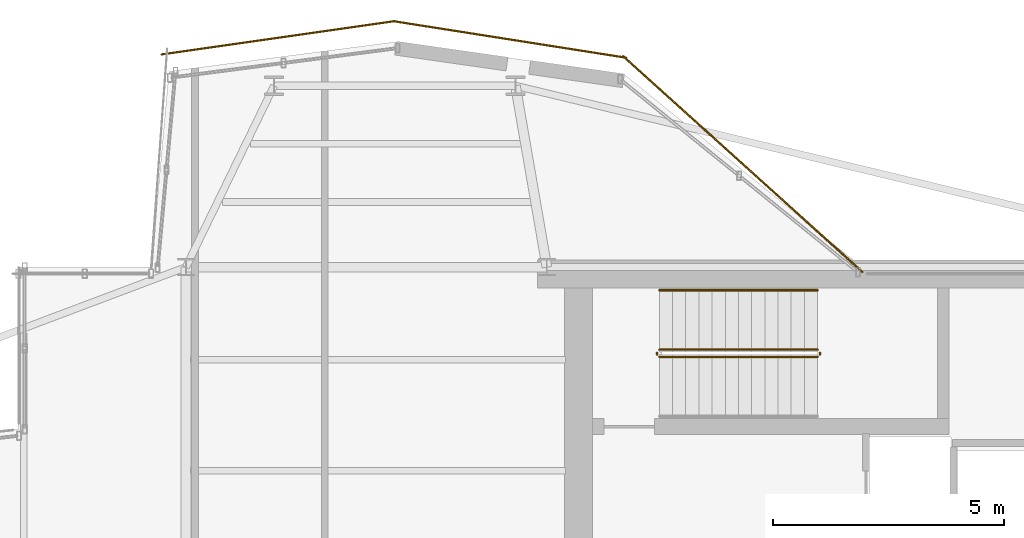
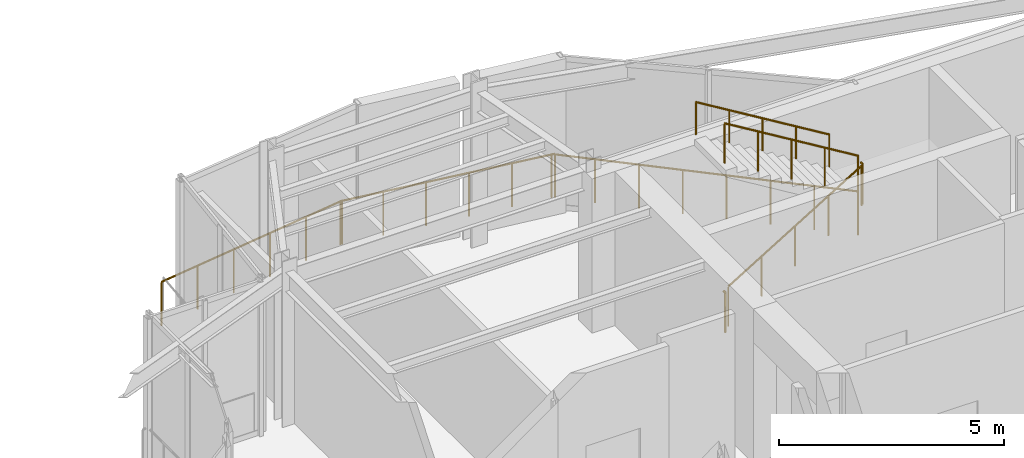
# One storey, part 13 of 14: 8 railings.
"""IFC4 building model written with IfcOpenShell, lengths in metres."""

import ifcopenshell
import ifcopenshell.guid

model = None  # the IFC model being written
_history = None  # IfcOwnerHistory: only IFC2X3 demands one
_inside = {}  # id of a spatial element -> (the spatial element, [elements in it])
_under = {}  # id of a project, library or spatial element -> (it, [spatial elements below it])
_declared = {}  # id of a project -> (the project, [libraries it declares])
_typed = {}  # id of a type object -> (the type object, [elements of that type])
_made_of = {}  # id of a material, layer set ... -> (it, [elements and type objects made of it])


def new_model(schema):
    """Start an empty IFC model of exactly this schema.

    Asked for "IFC4X3", IfcOpenShell would pick the latest addendum, in which some entities
    have other attributes; the version numbers below select the first issue.
    IFC2X3 requires an IfcOwnerHistory on every rooted entity: one is made here for all.
    """
    global model, _history
    if schema == "IFC4X3":
        model = ifcopenshell.file(schema_version=(4, 3, 0, 0))
    else:
        model = ifcopenshell.file(schema=schema)
    _inside.clear()
    _under.clear()
    _declared.clear()
    _typed.clear()
    _made_of.clear()
    _history = None
    if model.schema == "IFC2X3":
        org = make("IfcOrganization", Name="unknown")
        user = make(
            "IfcPersonAndOrganization",
            ThePerson=make("IfcPerson", FamilyName="unknown"),
            TheOrganization=org,
        )
        app = make(
            "IfcApplication",
            ApplicationDeveloper=org,
            Version="unknown",
            ApplicationFullName="unknown",
            ApplicationIdentifier="unknown",
        )
        _history = make(
            "IfcOwnerHistory",
            OwningUser=user,
            OwningApplication=app,
            ChangeAction="ADDED",
            CreationDate=0,
        )
    return model


def make(cls, **values):
    """One entity of the class cls with the attributes given. An attribute that is None is left unset."""
    return model.create_entity(
        cls, **{name: value for name, value in values.items() if value is not None}
    )


def rooted(cls, **values):
    """An entity with a GlobalId (a new one), such as an element, a storey or a relation."""
    return make(cls, GlobalId=ifcopenshell.guid.new(), OwnerHistory=_history, **values)


def si_unit(unit_type, name, prefix=None):
    """IfcSIUnit, for example si_unit("LENGTHUNIT", "METRE", prefix="MILLI")."""
    return make("IfcSIUnit", UnitType=unit_type, Prefix=prefix, Name=name)


def assignment(units):
    """IfcUnitAssignment: the units of a project."""
    return None if units is None else make("IfcUnitAssignment", Units=units)


def point(xyz):
    """IfcCartesianPoint."""
    return None if xyz is None else make("IfcCartesianPoint", Coordinates=xyz)


def direction(xyz):
    """IfcDirection."""
    return None if xyz is None else make("IfcDirection", DirectionRatios=xyz)


def frame(location, z_axis=None, x_axis=None):
    """IfcAxis2Placement3D, a coordinate frame: its origin and axes. An axis left out is left unset."""
    return make(
        "IfcAxis2Placement3D",
        Location=point(location),
        Axis=direction(z_axis),
        RefDirection=direction(x_axis),
    )


def frame_2d(location, x_axis=None):
    """IfcAxis2Placement2D, a coordinate frame in the plane: its origin and x axis."""
    return make(
        "IfcAxis2Placement2D", Location=point(location), RefDirection=direction(x_axis)
    )


def origin():
    """The frame at (0, 0, 0) with its axes left unset."""
    return frame((0.0, 0.0, 0.0))


def origin_2d():
    """The frame at (0, 0) in the plane with its x axis left unset."""
    return frame_2d((0.0, 0.0))


def place(relative_to, where):
    """IfcLocalPlacement: puts the frame where relative to a parent placement (None: the world)."""
    return make(
        "IfcLocalPlacement", PlacementRelTo=relative_to, RelativePlacement=where
    )


def context(
    kind, dimensions, precision=None, world=None, true_north=None, identifier=None
):
    """IfcGeometricRepresentationContext, for example the 3D "Model" context."""
    return make(
        "IfcGeometricRepresentationContext",
        ContextIdentifier=identifier,
        ContextType=kind,
        CoordinateSpaceDimension=dimensions,
        Precision=precision,
        WorldCoordinateSystem=world,
        TrueNorth=true_north,
    )


def subcontext(parent, identifier, kind, view, scale=None):
    """IfcGeometricRepresentationSubContext, for example "Body" below "Model"."""
    return make(
        "IfcGeometricRepresentationSubContext",
        ContextIdentifier=identifier,
        ContextType=kind,
        ParentContext=parent,
        TargetScale=scale,
        TargetView=view,
    )


def project(units=None, contexts=None):
    """IfcProject with its units and contexts."""
    return rooted(
        "IfcProject",
        Name="project",
        RepresentationContexts=contexts,
        UnitsInContext=assignment(units),
    )


def spatial(cls, under=None, at=None, **own):
    """A site, building, storey or space (cls), placed at a placement, below another one or the project."""
    s = rooted(cls, ObjectPlacement=at, **own)
    if under is not None:
        _under.setdefault(under.id(), (under, []))[1].append(s)
    return s


def profile(cls, at=None, kind="AREA", **sizes):
    """A parametric profile (cls). Its sizes go by their IFC names, for example OverallWidth=200.0."""
    return make(cls, ProfileType=kind, Position=at, **sizes)


def circle(**sizes):
    """IfcCircleProfileDef."""
    return profile("IfcCircleProfileDef", **sizes)


def extrude(swept, where, along, depth):
    """IfcExtrudedAreaSolid: the profile swept, set in the frame where, extruded along a direction by depth."""
    return make(
        "IfcExtrudedAreaSolid",
        SweptArea=swept,
        Position=where,
        ExtrudedDirection=direction(along),
        Depth=depth,
    )


def shape(context_of_items, identifier, shape_type, items):
    """IfcShapeRepresentation: the items that make up one representation, for example the "Body"."""
    return make(
        "IfcShapeRepresentation",
        ContextOfItems=context_of_items,
        RepresentationIdentifier=identifier,
        RepresentationType=shape_type,
        Items=items,
    )


def material(Name=None, Category=None):
    """IfcMaterial."""
    return make("IfcMaterial", Name=Name, Category=Category)


def made_of(thing, what):
    """Note that an element or type object is made of a material, layer set ...; save() writes the relation."""
    if what is not None:
        _made_of.setdefault(what.id(), (what, []))[1].append(thing)
    return thing


def type_object(cls, material=None, **own):
    """A type object (cls), such as IfcWallType, which elements share."""
    return made_of(rooted(cls, **own), material)


def element(
    cls,
    number,
    at=None,
    inside=None,
    cuts=None,
    type_object=None,
    material=None,
    context=None,
    identifier="Body",
    shape_type=None,
    held_by="IfcProductDefinitionShape",
    body=None,
    shapes=None,
    **own,
):
    """One element of the class cls, such as IfcWall. Its Tag is "e" and its number.

    at: its placement. inside: the storey or other place that contains it. cuts: it is an
    opening in that element (IfcRelVoidsElement). A single representation is given by context,
    identifier, shape_type and body (its items); several are given by shapes. held_by: the class
    of the entity that holds the representations. save() writes the other relations.
    """
    e = rooted(cls, Tag="e%d" % number, ObjectPlacement=at, **own)
    if body is not None:
        shapes = [shape(context, identifier, shape_type, body)]
    if shapes is not None:
        e.Representation = make(held_by, Representations=shapes)
    if inside is not None:
        _inside.setdefault(inside.id(), (inside, []))[1].append(e)
    if cuts is not None:
        rooted(
            "IfcRelVoidsElement", RelatingBuildingElement=cuts, RelatedOpeningElement=e
        )
    if type_object is not None:
        _typed.setdefault(type_object.id(), (type_object, []))[1].append(e)
    return made_of(e, material)


def aggregate(whole, parts):
    """IfcRelAggregates: a whole, such as a stair, and the parts it consists of."""
    return rooted("IfcRelAggregates", RelatingObject=whole, RelatedObjects=parts)


def save(model, path):
    """Write the relations noted so far, then the file.

    IfcRelAggregates (storeys below a building ...), IfcRelContainedInSpatialStructure (elements
    in a storey), IfcRelDefinesByType, IfcRelAssociatesMaterial and IfcRelDeclares: one each for
    every whole, place, type object, material and project.
    """
    for whole, parts in _under.values():
        aggregate(whole, parts)
    for where, things in _inside.values():
        rooted(
            "IfcRelContainedInSpatialStructure",
            RelatedElements=things,
            RelatingStructure=where,
        )
    for kind, things in _typed.values():
        rooted("IfcRelDefinesByType", RelatedObjects=things, RelatingType=kind)
    for what, things in _made_of.values():
        rooted("IfcRelAssociatesMaterial", RelatedObjects=things, RelatingMaterial=what)
    for by, libraries in _declared.values():
        rooted("IfcRelDeclares", RelatingContext=by, RelatedDefinitions=libraries)
    model.write(path)


model = new_model("IFC4")

# Units and contexts
model_context = context("Model", 3, precision=1e-05, world=origin(), true_north=direction((0.0, 1.0)))
body_context = subcontext(model_context, "Body", "Model", "MODEL_VIEW")
ifc_project = project(units=[si_unit("LENGTHUNIT", "METRE"), si_unit("AREAUNIT", "SQUARE_METRE"), si_unit("VOLUMEUNIT", "CUBIC_METRE"), si_unit("PLANEANGLEUNIT", "RADIAN"), si_unit("MASSUNIT", "GRAM", prefix="KILO")], contexts=[model_context])

# Site, building, storey
site_placement = place(None, origin())
site = spatial("IfcSite", under=ifc_project, at=site_placement, CompositionType="ELEMENT")
building_placement = place(site_placement, origin())
building = spatial("IfcBuilding", under=site, at=building_placement, Name="Veymaron Broadcast Tower", CompositionType="ELEMENT")
storey_placement = place(building_placement, frame((0.0, 0.0, 332.39990234375)))
storey = spatial("IfcBuildingStorey", under=building, at=storey_placement, Name="L78", CompositionType="ELEMENT", Elevation=332.39990234375)

# Railings
ifc_material_1 = material(Name="Brushed stainless steel AISI 304", Category="steel")
railing_type_1 = type_object("IfcRailingType", Name="RAIL-STAIR-HR", PredefinedType="HANDRAIL", material=ifc_material_1)
railing_1_placement = place(storey_placement, frame((44.85009765625, 31.5, 2.423095703125)))
element("IfcRailing", 1, at=railing_1_placement, inside=storey, type_object=railing_type_1, Name="L78 ST1 stair handrail 2", PredefinedType="HANDRAIL", context=body_context, shape_type="SweptSolid", body=[
    extrude(circle(Radius=0.02392578125, at=origin_2d()), frame((0.0, 0.0, 0.8759765625), z_axis=(-0.854745945586, 0.0, 0.519046595696), x_axis=(0.0, -1.0, 0.0)), (0.0, 0.0, 1.0), 4.00146484375),
    extrude(circle(Radius=0.02099609375, at=origin_2d()), origin(), (0.0, 0.0, 1.0), 0.851806640625),
    extrude(circle(Radius=0.02099609375, at=origin_2d()), frame((-0.85498046875, 0.0, 0.519287109375)), (0.0, 0.0, 1.0), 0.851806640625),
    extrude(circle(Radius=0.02099609375, at=origin_2d()), frame((-1.7099609375, 0.0, 1.03857421875)), (0.0, 0.0, 1.0), 0.851806640625),
    extrude(circle(Radius=0.02099609375, at=origin_2d()), frame((-2.565185546875, 0.0, 1.5576171875)), (0.0, 0.0, 1.0), 0.851806640625),
    extrude(circle(Radius=0.02099609375, at=origin_2d()), frame((-3.420166015625, 0.0, 2.076904296875)), (0.0, 0.0, 1.0), 0.851806640625),
])
ifc_material_2 = material(Name="Laminated structural sentry-glass and stainless steel AISI 316L", Category="steel")
railing_type_2 = type_object("IfcRailingType", Name="RAIL-TERR-1200", PredefinedType="GUARDRAIL", material=ifc_material_2)
railing_2_placement = place(storey_placement, frame((45.81884765625, 31.89599609375, 0.0)))
element("IfcRailing", 2, at=railing_2_placement, inside=storey, type_object=railing_type_2, Name="L78 crown perimeter guardrail 5", PredefinedType="GUARDRAIL", context=body_context, shape_type="SweptSolid", body=[
    extrude(circle(Radius=0.02392578125, at=origin_2d()), frame((0.0, 0.0, 1.17578125), z_axis=(-0.742718734557, 0.669603525482, 0.0), x_axis=(-0.669603525482, -0.742718734557, 0.0)), (0.0, 0.0, 1.0), 6.96533203125),
    extrude(circle(Radius=0.02099609375, at=origin_2d()), origin(), (0.0, 0.0, 1.0), 1.15185546875),
    extrude(circle(Radius=0.02099609375, at=origin_2d()), frame((-0.739013671875, 0.666259765625, 0.0)), (0.0, 0.0, 1.0), 1.15185546875),
    extrude(circle(Radius=0.02099609375, at=origin_2d()), frame((-1.47802734375, 1.33251953125, 0.0)), (0.0, 0.0, 1.0), 1.15185546875),
    extrude(circle(Radius=0.02099609375, at=origin_2d()), frame((-2.217041015625, 1.998779296875, 0.0)), (0.0, 0.0, 1.0), 1.15185546875),
    extrude(circle(Radius=0.02099609375, at=origin_2d()), frame((-2.956298828125, 2.665283203125, 0.0)), (0.0, 0.0, 1.0), 1.15185546875),
    extrude(circle(Radius=0.02099609375, at=origin_2d()), frame((-3.6953125, 3.33154296875, 0.0)), (0.0, 0.0, 1.0), 1.15185546875),
    extrude(circle(Radius=0.02099609375, at=origin_2d()), frame((-4.434326171875, 3.997802734375, 0.0)), (0.0, 0.0, 1.0), 1.15185546875),
    extrude(circle(Radius=0.02099609375, at=origin_2d()), frame((-5.17333984375, 4.6640625, 0.0)), (0.0, 0.0, 1.0), 1.15185546875),
])
railing_3_placement = place(storey_placement, frame((40.717529296875, 36.525634765625, 0.0)))
element("IfcRailing", 3, at=railing_3_placement, inside=storey, type_object=railing_type_2, Name="L78 crown perimeter guardrail 6", PredefinedType="GUARDRAIL", context=body_context, shape_type="SweptSolid", body=[
    extrude(circle(Radius=0.02392578125, at=origin_2d()), frame((0.0, 0.0, 1.17578125), z_axis=(-0.987892522015, 0.155139823857, 0.0), x_axis=(-0.155139823857, -0.987892522015, 0.0)), (0.0, 0.0, 1.0), 5.10498046875),
    extrude(circle(Radius=0.02099609375, at=origin_2d()), origin(), (0.0, 0.0, 1.0), 1.15185546875),
    extrude(circle(Radius=0.02099609375, at=origin_2d()), frame((-1.008544921875, 0.158447265625, 0.0)), (0.0, 0.0, 1.0), 1.15185546875),
    extrude(circle(Radius=0.02099609375, at=origin_2d()), frame((-2.017333984375, 0.31689453125, 0.0)), (0.0, 0.0, 1.0), 1.15185546875),
    extrude(circle(Radius=0.02099609375, at=origin_2d()), frame((-3.02587890625, 0.47509765625, 0.0)), (0.0, 0.0, 1.0), 1.15185546875),
    extrude(circle(Radius=0.02099609375, at=origin_2d()), frame((-4.03466796875, 0.633544921875, 0.0)), (0.0, 0.0, 1.0), 1.15185546875),
    extrude(circle(Radius=0.02099609375, at=origin_2d()), frame((-5.043212890625, 0.7919921875, 0.0)), (0.0, 0.0, 1.0), 1.15185546875),
])
railing_4_placement = place(storey_placement, frame((35.7158203125, 37.3173828125, 0.0)))
element("IfcRailing", 4, at=railing_4_placement, inside=storey, type_object=railing_type_2, Name="L78 crown perimeter guardrail 7", PredefinedType="GUARDRAIL", context=body_context, shape_type="SweptSolid", body=[
    extrude(circle(Radius=0.02392578125, at=origin_2d()), frame((0.0, 0.0, 1.17578125), z_axis=(-0.989962907882, -0.141327424861, 0.0), x_axis=(0.141327424861, -0.989962907882, 0.0)), (0.0, 0.0, 1.0), 5.09423828125),
    extrude(circle(Radius=0.02099609375, at=origin_2d()), origin(), (0.0, 0.0, 1.0), 1.15185546875),
    extrude(circle(Radius=0.02099609375, at=origin_2d()), frame((-1.008544921875, -0.14404296875, 0.0)), (0.0, 0.0, 1.0), 1.15185546875),
    extrude(circle(Radius=0.02099609375, at=origin_2d()), frame((-2.017333984375, -0.2880859375, 0.0)), (0.0, 0.0, 1.0), 1.15185546875),
    extrude(circle(Radius=0.02099609375, at=origin_2d()), frame((-3.02587890625, -0.431884765625, 0.0)), (0.0, 0.0, 1.0), 1.15185546875),
    extrude(circle(Radius=0.02099609375, at=origin_2d()), frame((-4.03466796875, -0.575927734375, 0.0)), (0.0, 0.0, 1.0), 1.15185546875),
    extrude(circle(Radius=0.02099609375, at=origin_2d()), frame((-5.043212890625, -0.719970703125, 0.0)), (0.0, 0.0, 1.0), 1.15185546875),
])
ifc_material_3 = material(Name="Painted galvanized steel balustrade", Category="steel")
railing_type_3 = type_object("IfcRailingType", Name="RAIL-WELL-GRD", PredefinedType="GUARDRAIL", material=ifc_material_3)
railing_5_placement = place(storey_placement, frame((41.429931640625, 30.06005859375, 0.173095703125)))
element("IfcRailing", 5, at=railing_5_placement, inside=storey, type_object=railing_type_3, Name="L78 ST1 stair guard 1", PredefinedType="GUARDRAIL", context=body_context, shape_type="SweptSolid", body=[
    extrude(circle(Radius=0.02392578125, at=origin_2d()), frame((0.0, 0.0, 1.076171875), z_axis=(0.854745945586, 0.0, 0.519046595696), x_axis=(0.0, 1.0, 0.0)), (0.0, 0.0, 1.0), 4.00146484375),
    extrude(circle(Radius=0.02099609375, at=origin_2d()), origin(), (0.0, 0.0, 1.0), 1.052001953125),
    extrude(circle(Radius=0.02099609375, at=origin_2d()), frame((0.85498046875, 0.0, 0.519287109375)), (0.0, 0.0, 1.0), 1.052001953125),
    extrude(circle(Radius=0.02099609375, at=origin_2d()), frame((1.7099609375, 0.0, 1.03857421875)), (0.0, 0.0, 1.0), 1.052001953125),
    extrude(circle(Radius=0.02099609375, at=origin_2d()), frame((2.565185546875, 0.0, 1.5576171875)), (0.0, 0.0, 1.0), 1.052001953125),
    extrude(circle(Radius=0.02099609375, at=origin_2d()), frame((3.420166015625, 0.0, 2.076904296875)), (0.0, 0.0, 1.0), 1.052001953125),
])
railing_6_placement = place(storey_placement, frame((44.89990234375, 30.110107421875, 2.25)))
element("IfcRailing", 6, at=railing_6_placement, inside=storey, type_object=railing_type_3, Name="L78 ST1 stair guard 2", PredefinedType="GUARDRAIL", context=body_context, shape_type="SweptSolid", body=[
    extrude(circle(Radius=0.02392578125, at=origin_2d()), frame((0.0, 0.0, 1.076171875), z_axis=(0.0, 1.0, 0.0), x_axis=(-1.0, 0.0, 0.0)), (0.0, 0.0, 1.0), 0.059814453125),
    extrude(circle(Radius=0.02099609375, at=origin_2d()), origin(), (0.0, 0.0, 1.0), 1.052001953125),
])
railing_7_placement = place(storey_placement, frame((44.85009765625, 30.219970703125, 2.423095703125)))
element("IfcRailing", 7, at=railing_7_placement, inside=storey, type_object=railing_type_3, Name="L78 ST1 stair guard 3", PredefinedType="GUARDRAIL", context=body_context, shape_type="SweptSolid", body=[
    extrude(circle(Radius=0.02392578125, at=origin_2d()), frame((0.0, 0.0, 1.076171875), z_axis=(-0.854745945586, 0.0, 0.519046595696), x_axis=(0.0, -1.0, 0.0)), (0.0, 0.0, 1.0), 4.00146484375),
    extrude(circle(Radius=0.02099609375, at=origin_2d()), origin(), (0.0, 0.0, 1.0), 1.052001953125),
    extrude(circle(Radius=0.02099609375, at=origin_2d()), frame((-0.85498046875, 0.0, 0.519287109375)), (0.0, 0.0, 1.0), 1.052001953125),
    extrude(circle(Radius=0.02099609375, at=origin_2d()), frame((-1.7099609375, 0.0, 1.03857421875)), (0.0, 0.0, 1.0), 1.052001953125),
    extrude(circle(Radius=0.02099609375, at=origin_2d()), frame((-2.565185546875, 0.0, 1.5576171875)), (0.0, 0.0, 1.0), 1.052001953125),
    extrude(circle(Radius=0.02099609375, at=origin_2d()), frame((-3.420166015625, 0.0, 2.076904296875)), (0.0, 0.0, 1.0), 1.052001953125),
])
railing_8_placement = place(storey_placement, frame((41.3798828125, 30.110107421875, 0.0)))
element("IfcRailing", 8, at=railing_8_placement, inside=storey, type_object=railing_type_3, Name="L78 ST1 stair guard 4", PredefinedType="GUARDRAIL", context=body_context, shape_type="SweptSolid", body=[
    extrude(circle(Radius=0.02392578125, at=origin_2d()), frame((0.0, 0.0, 1.076171875), z_axis=(0.0, 1.0, 0.0), x_axis=(-1.0, 0.0, 0.0)), (0.0, 0.0, 1.0), 0.059814453125),
    extrude(circle(Radius=0.02099609375, at=origin_2d()), origin(), (0.0, 0.0, 1.0), 1.052001953125),
])

save(model, "model.ifc")
